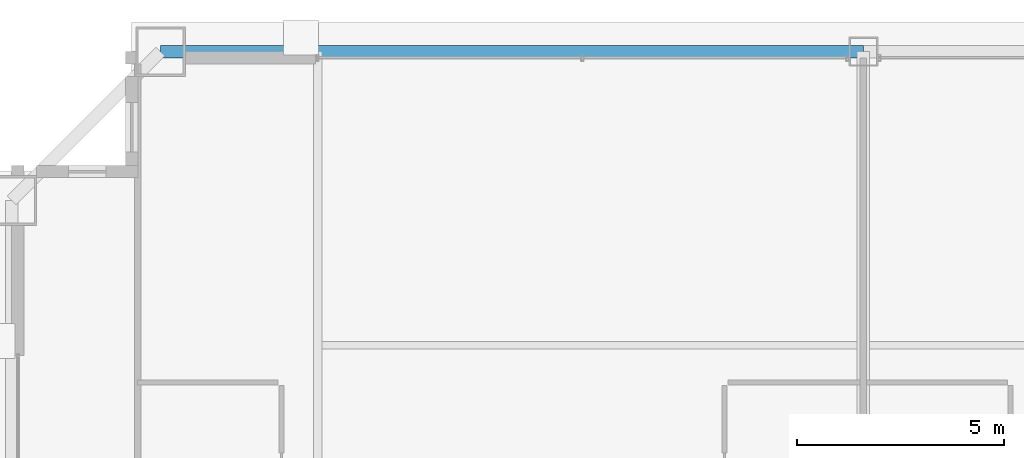
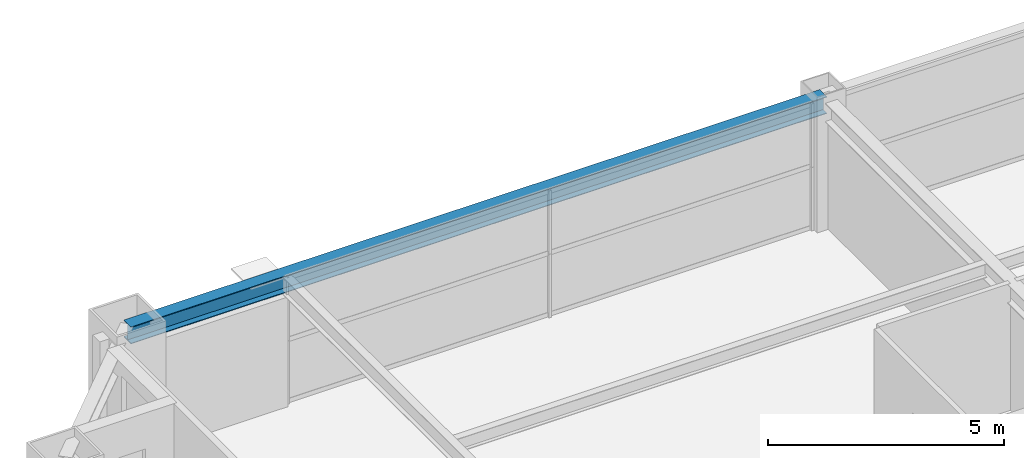
# One storey, part 25 of 36: 1 beam.
"""IFC4 building model written with IfcOpenShell, lengths in metres."""

import ifcopenshell
import ifcopenshell.guid

model = None  # the IFC model being written
_history = None  # IfcOwnerHistory: only IFC2X3 demands one
_inside = {}  # id of a spatial element -> (the spatial element, [elements in it])
_under = {}  # id of a project, library or spatial element -> (it, [spatial elements below it])
_declared = {}  # id of a project -> (the project, [libraries it declares])
_typed = {}  # id of a type object -> (the type object, [elements of that type])
_made_of = {}  # id of a material, layer set ... -> (it, [elements and type objects made of it])


def new_model(schema):
    """Start an empty IFC model of exactly this schema.

    Asked for "IFC4X3", IfcOpenShell would pick the latest addendum, in which some entities
    have other attributes; the version numbers below select the first issue.
    IFC2X3 requires an IfcOwnerHistory on every rooted entity: one is made here for all.
    """
    global model, _history
    if schema == "IFC4X3":
        model = ifcopenshell.file(schema_version=(4, 3, 0, 0))
    else:
        model = ifcopenshell.file(schema=schema)
    _inside.clear()
    _under.clear()
    _declared.clear()
    _typed.clear()
    _made_of.clear()
    _history = None
    if model.schema == "IFC2X3":
        org = make("IfcOrganization", Name="unknown")
        user = make(
            "IfcPersonAndOrganization",
            ThePerson=make("IfcPerson", FamilyName="unknown"),
            TheOrganization=org,
        )
        app = make(
            "IfcApplication",
            ApplicationDeveloper=org,
            Version="unknown",
            ApplicationFullName="unknown",
            ApplicationIdentifier="unknown",
        )
        _history = make(
            "IfcOwnerHistory",
            OwningUser=user,
            OwningApplication=app,
            ChangeAction="ADDED",
            CreationDate=0,
        )
    return model


def make(cls, **values):
    """One entity of the class cls with the attributes given. An attribute that is None is left unset."""
    return model.create_entity(
        cls, **{name: value for name, value in values.items() if value is not None}
    )


def rooted(cls, **values):
    """An entity with a GlobalId (a new one), such as an element, a storey or a relation."""
    return make(cls, GlobalId=ifcopenshell.guid.new(), OwnerHistory=_history, **values)


def si_unit(unit_type, name, prefix=None):
    """IfcSIUnit, for example si_unit("LENGTHUNIT", "METRE", prefix="MILLI")."""
    return make("IfcSIUnit", UnitType=unit_type, Prefix=prefix, Name=name)


def assignment(units):
    """IfcUnitAssignment: the units of a project."""
    return None if units is None else make("IfcUnitAssignment", Units=units)


def point(xyz):
    """IfcCartesianPoint."""
    return None if xyz is None else make("IfcCartesianPoint", Coordinates=xyz)


def direction(xyz):
    """IfcDirection."""
    return None if xyz is None else make("IfcDirection", DirectionRatios=xyz)


def frame(location, z_axis=None, x_axis=None):
    """IfcAxis2Placement3D, a coordinate frame: its origin and axes. An axis left out is left unset."""
    return make(
        "IfcAxis2Placement3D",
        Location=point(location),
        Axis=direction(z_axis),
        RefDirection=direction(x_axis),
    )


def frame_2d(location, x_axis=None):
    """IfcAxis2Placement2D, a coordinate frame in the plane: its origin and x axis."""
    return make(
        "IfcAxis2Placement2D", Location=point(location), RefDirection=direction(x_axis)
    )


def origin():
    """The frame at (0, 0, 0) with its axes left unset."""
    return frame((0.0, 0.0, 0.0))


def origin_2d():
    """The frame at (0, 0) in the plane with its x axis left unset."""
    return frame_2d((0.0, 0.0))


def place(relative_to, where):
    """IfcLocalPlacement: puts the frame where relative to a parent placement (None: the world)."""
    return make(
        "IfcLocalPlacement", PlacementRelTo=relative_to, RelativePlacement=where
    )


def context(
    kind, dimensions, precision=None, world=None, true_north=None, identifier=None
):
    """IfcGeometricRepresentationContext, for example the 3D "Model" context."""
    return make(
        "IfcGeometricRepresentationContext",
        ContextIdentifier=identifier,
        ContextType=kind,
        CoordinateSpaceDimension=dimensions,
        Precision=precision,
        WorldCoordinateSystem=world,
        TrueNorth=true_north,
    )


def subcontext(parent, identifier, kind, view, scale=None):
    """IfcGeometricRepresentationSubContext, for example "Body" below "Model"."""
    return make(
        "IfcGeometricRepresentationSubContext",
        ContextIdentifier=identifier,
        ContextType=kind,
        ParentContext=parent,
        TargetScale=scale,
        TargetView=view,
    )


def project(units=None, contexts=None):
    """IfcProject with its units and contexts."""
    return rooted(
        "IfcProject",
        Name="project",
        RepresentationContexts=contexts,
        UnitsInContext=assignment(units),
    )


def spatial(cls, under=None, at=None, **own):
    """A site, building, storey or space (cls), placed at a placement, below another one or the project."""
    s = rooted(cls, ObjectPlacement=at, **own)
    if under is not None:
        _under.setdefault(under.id(), (under, []))[1].append(s)
    return s


def profile(cls, at=None, kind="AREA", **sizes):
    """A parametric profile (cls). Its sizes go by their IFC names, for example OverallWidth=200.0."""
    return make(cls, ProfileType=kind, Position=at, **sizes)


def i_section(**sizes):
    """IfcIShapeProfileDef."""
    return profile("IfcIShapeProfileDef", **sizes)


def extrude(swept, where, along, depth):
    """IfcExtrudedAreaSolid: the profile swept, set in the frame where, extruded along a direction by depth."""
    return make(
        "IfcExtrudedAreaSolid",
        SweptArea=swept,
        Position=where,
        ExtrudedDirection=direction(along),
        Depth=depth,
    )


def shape(context_of_items, identifier, shape_type, items):
    """IfcShapeRepresentation: the items that make up one representation, for example the "Body"."""
    return make(
        "IfcShapeRepresentation",
        ContextOfItems=context_of_items,
        RepresentationIdentifier=identifier,
        RepresentationType=shape_type,
        Items=items,
    )


def source(mapping_origin, context_of_items, identifier, shape_type, items):
    """IfcRepresentationMap: a shape defined once, which mapped items show again and again."""
    return make(
        "IfcRepresentationMap",
        MappingOrigin=mapping_origin,
        MappedRepresentation=shape(context_of_items, identifier, shape_type, items),
    )


def transform(
    local_origin,
    x_axis=None,
    y_axis=None,
    z_axis=None,
    scale=None,
    scale2=None,
    scale3=None,
    uniform=True,
):
    """IfcCartesianTransformationOperator3D, or its non-uniform kind. x_axis, y_axis, z_axis: its Axis1, 2, 3."""
    if uniform:
        return make(
            "IfcCartesianTransformationOperator3D",
            Axis1=direction(x_axis),
            Axis2=direction(y_axis),
            LocalOrigin=point(local_origin),
            Scale=scale,
            Axis3=direction(z_axis),
        )
    return make(
        "IfcCartesianTransformationOperator3DnonUniform",
        Axis1=direction(x_axis),
        Axis2=direction(y_axis),
        LocalOrigin=point(local_origin),
        Scale=scale,
        Axis3=direction(z_axis),
        Scale2=scale2,
        Scale3=scale3,
    )


def mapped(mapping_source, mapping_target):
    """IfcMappedItem: shows the shape of a source again, moved by a transform."""
    return make(
        "IfcMappedItem", MappingSource=mapping_source, MappingTarget=mapping_target
    )


def material(Name=None, Category=None):
    """IfcMaterial."""
    return make("IfcMaterial", Name=Name, Category=Category)


def material_profile(
    of_material, cross_section, Name=None, Category=None, Priority=None
):
    """IfcMaterialProfile: a cross section and its material."""
    return make(
        "IfcMaterialProfile",
        Name=Name,
        Material=of_material,
        Profile=cross_section,
        Priority=Priority,
        Category=Category,
    )


def profile_set(profiles, Name=None, composite=None):
    """IfcMaterialProfileSet."""
    return make(
        "IfcMaterialProfileSet",
        Name=Name,
        MaterialProfiles=profiles,
        CompositeProfile=composite,
    )


def made_of(thing, what):
    """Note that an element or type object is made of a material, layer set ...; save() writes the relation."""
    if what is not None:
        _made_of.setdefault(what.id(), (what, []))[1].append(thing)
    return thing


def type_object(cls, material=None, **own):
    """A type object (cls), such as IfcWallType, which elements share."""
    return made_of(rooted(cls, **own), material)


def element(
    cls,
    number,
    at=None,
    inside=None,
    cuts=None,
    type_object=None,
    material=None,
    context=None,
    identifier="Body",
    shape_type=None,
    held_by="IfcProductDefinitionShape",
    body=None,
    shapes=None,
    **own,
):
    """One element of the class cls, such as IfcWall. Its Tag is "e" and its number.

    at: its placement. inside: the storey or other place that contains it. cuts: it is an
    opening in that element (IfcRelVoidsElement). A single representation is given by context,
    identifier, shape_type and body (its items); several are given by shapes. held_by: the class
    of the entity that holds the representations. save() writes the other relations.
    """
    e = rooted(cls, Tag="e%d" % number, ObjectPlacement=at, **own)
    if body is not None:
        shapes = [shape(context, identifier, shape_type, body)]
    if shapes is not None:
        e.Representation = make(held_by, Representations=shapes)
    if inside is not None:
        _inside.setdefault(inside.id(), (inside, []))[1].append(e)
    if cuts is not None:
        rooted(
            "IfcRelVoidsElement", RelatingBuildingElement=cuts, RelatedOpeningElement=e
        )
    if type_object is not None:
        _typed.setdefault(type_object.id(), (type_object, []))[1].append(e)
    return made_of(e, material)


def aggregate(whole, parts):
    """IfcRelAggregates: a whole, such as a stair, and the parts it consists of."""
    return rooted("IfcRelAggregates", RelatingObject=whole, RelatedObjects=parts)


def save(model, path):
    """Write the relations noted so far, then the file.

    IfcRelAggregates (storeys below a building ...), IfcRelContainedInSpatialStructure (elements
    in a storey), IfcRelDefinesByType, IfcRelAssociatesMaterial and IfcRelDeclares: one each for
    every whole, place, type object, material and project.
    """
    for whole, parts in _under.values():
        aggregate(whole, parts)
    for where, things in _inside.values():
        rooted(
            "IfcRelContainedInSpatialStructure",
            RelatedElements=things,
            RelatingStructure=where,
        )
    for kind, things in _typed.values():
        rooted("IfcRelDefinesByType", RelatedObjects=things, RelatingType=kind)
    for what, things in _made_of.values():
        rooted("IfcRelAssociatesMaterial", RelatedObjects=things, RelatingMaterial=what)
    for by, libraries in _declared.values():
        rooted("IfcRelDeclares", RelatingContext=by, RelatedDefinitions=libraries)
    model.write(path)


model = new_model("IFC4")

# Units and contexts
model_context = context("Model", 3, precision=1e-05, world=origin(), true_north=direction((0.0, 1.0)))
body_context = subcontext(model_context, "Body", "Model", "MODEL_VIEW")
ifc_project = project(units=[si_unit("LENGTHUNIT", "METRE"), si_unit("AREAUNIT", "SQUARE_METRE"), si_unit("VOLUMEUNIT", "CUBIC_METRE"), si_unit("PLANEANGLEUNIT", "RADIAN"), si_unit("MASSUNIT", "GRAM", prefix="KILO"), si_unit("THERMODYNAMICTEMPERATUREUNIT", "KELVIN"), si_unit("POWERUNIT", "WATT")], contexts=[model_context])

# Site, building, storey
site_placement = place(None, origin())
site = spatial("IfcSite", under=ifc_project, at=site_placement, CompositionType="ELEMENT")
building_placement = place(site_placement, origin())
building = spatial("IfcBuilding", under=site, at=building_placement, Name="Yuzanri Waterfront Tower", CompositionType="ELEMENT")
storey_placement = place(building_placement, frame((0.0, 0.0, 224.10009765625)))
storey = spatial("IfcBuildingStorey", under=building, at=storey_placement, Name="L59", CompositionType="ELEMENT", Elevation=224.10009765625)

# Beam
ifc_material = material(Name="Steel Q355B", Category="steel")
ifc_material_profile = material_profile(ifc_material, i_section(OverallWidth=0.300048828125, OverallDepth=0.43994140625, WebThickness=0.010986328125, FlangeThickness=0.01806640625, at=origin_2d()), Name="HM 440x300x11x18")
ifc_profile_set = profile_set([ifc_material_profile], Name="Steel Q355B")
beam_type = type_object("IfcBeamType", Name="Perimeter Spandrel Q355B HM 440x300", PredefinedType="SPANDREL", material=ifc_profile_set)
shared_shape = source(origin(), body_context, "Body", "SweptSolid", [
    extrude(i_section(OverallWidth=0.300048828125, OverallDepth=0.43994140625, WebThickness=0.010986328125, FlangeThickness=0.01806640625, at=origin_2d()), origin(), (0.0, 0.0, 1.0), 17.0),
])
beam_placement = place(storey_placement, frame((37.0, 46.39990234375, 3.059814453125), z_axis=(-1.0, 0.0, 0.0), x_axis=(0.0, -1.0, 0.0)))
element("IfcBeam", 1, at=beam_placement, inside=storey, type_object=beam_type, Name="L59 Perimeter Spandrel N2-N1", PredefinedType="SPANDREL", context=body_context, shape_type="MappedRepresentation", body=[
    mapped(shared_shape, transform((0.0, 0.0, 0.0), scale=1.0)),
])

save(model, "model.ifc")
